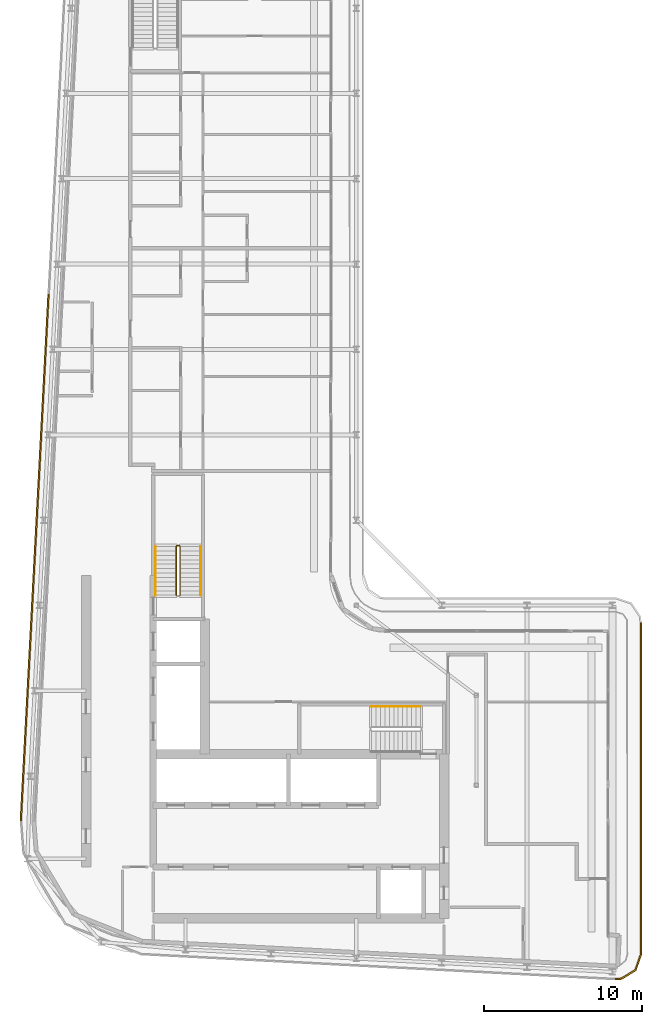
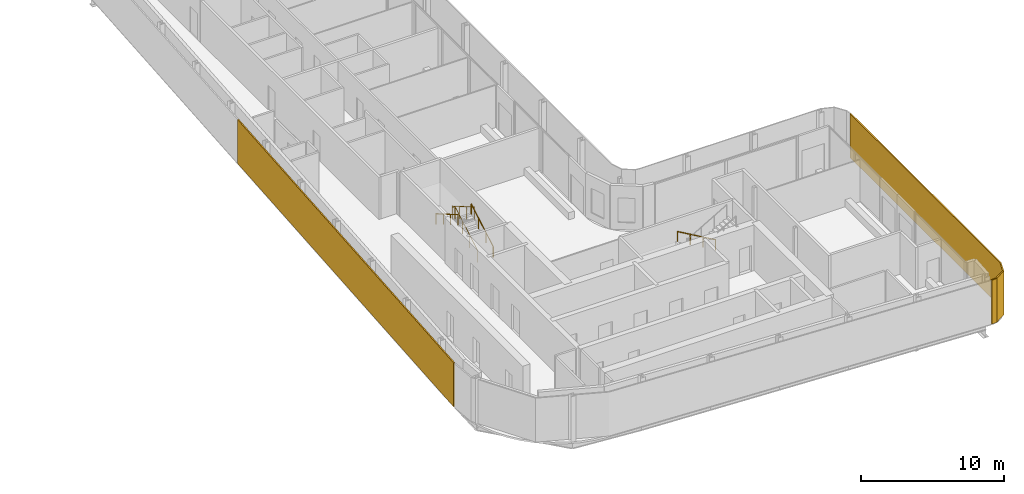
# One storey, part 18 of 21: 4 railings, 2 shading devices.
"""IFC4 building model written with IfcOpenShell, lengths in metres."""

from ifc_helpers import new_model, si_unit, direction, frame, origin, origin_2d, place, context, subcontext, project, spatial, polyline, rectangle, circle, outline, extrude, material, layer, layer_set, type_object, element, save


model = new_model("IFC4")

# Units and contexts
model_context = context("Model", 3, precision=1e-05, world=origin(), true_north=direction((0.0, 1.0)))
body_context = subcontext(model_context, "Body", "Model", "MODEL_VIEW")
ifc_project = project(units=[si_unit("LENGTHUNIT", "METRE"), si_unit("AREAUNIT", "SQUARE_METRE"), si_unit("VOLUMEUNIT", "CUBIC_METRE"), si_unit("PLANEANGLEUNIT", "RADIAN"), si_unit("MASSUNIT", "GRAM", prefix="KILO")], contexts=[model_context])

# Site, building, storey
site_placement = place(None, origin())
site = spatial("IfcSite", under=ifc_project, at=site_placement, CompositionType="ELEMENT")
building_placement = place(site_placement, origin())
building = spatial("IfcBuilding", under=site, at=building_placement, Name="Kheshtan School and Residences Tower", CompositionType="ELEMENT")
storey_placement = place(building_placement, frame((0.0, 0.0, 282.5)))
storey = spatial("IfcBuildingStorey", under=building, at=storey_placement, Name="L66", CompositionType="ELEMENT", Elevation=282.5)

# Shading devices
ifc_material_1 = material(Name="Terracotta baguette, extruded ceramic", Category="masonry")
ifc_layer_1 = layer(ifc_material_1, 0.10009765625)
ifc_layer_set_1 = layer_set([ifc_layer_1], Name="Ledge screen, terracotta baguettes")
shading_device_type_1 = type_object("IfcShadingDeviceType", Name="Ledge screen, terracotta baguettes", PredefinedType="USERDEFINED", material=ifc_layer_set_1)
shading_device_1_placement = place(storey_placement, frame((27.24609375, 48.638916015625, 0.0), z_axis=(0.0, 0.0, 1.0), x_axis=(0.052562536748, 0.998617634398, 0.0)))
element("IfcShadingDevice", 1, at=shading_device_1_placement, inside=storey, type_object=shading_device_type_1, Name="Screen L66 4", ObjectType="BAGUETTE", PredefinedType="USERDEFINED", context=body_context, shape_type="SweptSolid", body=[
    extrude(rectangle(XDim=33.341064453125, YDim=0.10009765625, at=origin_2d()), origin(), (0.0, 0.0, 1.0), 3.75),
])
ifc_material_2 = material(Name="Terracotta lattice, extruded ceramic", Category="masonry")
ifc_layer_2 = layer(ifc_material_2, 0.10009765625)
ifc_layer_set_2 = layer_set([ifc_layer_2], Name="Loggia screen, terracotta lattice")
shading_device_type_2 = type_object("IfcShadingDeviceType", Name="Loggia screen, terracotta lattice", PredefinedType="USERDEFINED", material=ifc_layer_set_2)
shading_device_2_placement = place(storey_placement, origin())
element("IfcShadingDevice", 2, at=shading_device_2_placement, inside=storey, type_object=shading_device_type_2, Name="Screen L66 2", ObjectType="SCREEN", PredefinedType="USERDEFINED", context=body_context, shape_type="SweptSolid", body=[
    extrude(outline(polyline([(65.550048828125, 44.5), (65.550048828125, 23.4990234375), (65.219970703125, 22.56005859375), (64.3740234375, 22.034912109375), (63.970947265625, 22.001953125), (63.97900390625, 21.902099609375), (64.406005859375, 21.93701171875), (65.302978515625, 22.493896484375), (65.64990234375, 23.48193359375), (65.64990234375, 44.5), (65.550048828125, 44.5)])), origin(), (0.0, 0.0, 1.0), 3.75),
])

# Railings
ifc_material_3 = material(Name="Stainless steel balustrade", Category="steel")
railing_type_1 = type_object("IfcRailingType", Name="Stair guard 1100", PredefinedType="GUARDRAIL", material=ifc_material_3)
railing_1_placement = place(storey_placement, frame((36.449951171875, 46.25, 0.16259765625)))
element("IfcRailing", 3, at=railing_1_placement, inside=storey, type_object=railing_type_1, Name="L66 ST2 stair guard 1", PredefinedType="GUARDRAIL", context=body_context, shape_type="SweptSolid", body=[
    extrude(circle(Radius=0.02392578125, at=origin_2d()), frame((0.0, 0.0, 1.076171875), z_axis=(0.0, 0.864920483161, 0.501908913857), x_axis=(-1.0, 0.0, 0.0)), (0.0, 0.0, 1.0), 3.56103515625),
    extrude(circle(Radius=0.02392578125, at=origin_2d()), frame((0.0, 3.080078125, 2.86328125), z_axis=(-0.708833529934, 0.705375805398, 0.0), x_axis=(-0.705375805398, -0.708833529934, 0.0)), (0.0, 0.0, 1.0), 0.070556640625),
    extrude(circle(Radius=0.02392578125, at=origin_2d()), frame((-0.050048828125, 3.1298828125, 2.86328125), z_axis=(-1.0, 0.0, 0.0), x_axis=(0.0, -1.0, 0.0)), (0.0, 0.0, 1.0), 0.14990234375),
    extrude(circle(Radius=0.02392578125, at=origin_2d()), frame((-0.199951171875, 3.1298828125, 2.86328125), z_axis=(-0.282336740067, -0.280959487676, 0.917250092119), x_axis=(0.705375805398, -0.708833529934, 0.0)), (0.0, 0.0, 1.0), 0.17724609375),
    extrude(circle(Radius=0.02392578125, at=origin_2d()), frame((-0.25, 3.080078125, 3.02587890625), z_axis=(0.0, -0.864920483161, 0.501908913857), x_axis=(1.0, 0.0, 0.0)), (0.0, 0.0, 1.0), 3.56103515625),
    extrude(circle(Radius=0.02099609375, at=origin_2d()), origin(), (0.0, 0.0, 1.0), 1.052001953125),
    extrude(circle(Radius=0.02099609375, at=origin_2d()), frame((0.0, 1.026611328125, 0.595703125)), (0.0, 0.0, 1.0), 1.052001953125),
    extrude(circle(Radius=0.02099609375, at=origin_2d()), frame((0.0, 2.053466796875, 1.191650390625)), (0.0, 0.0, 1.0), 1.052001953125),
    extrude(circle(Radius=0.02099609375, at=origin_2d()), frame((0.0, 3.080078125, 1.787353515625)), (0.0, 0.0, 1.0), 1.052001953125),
    extrude(circle(Radius=0.02099609375, at=origin_2d()), frame((-0.050048828125, 3.1298828125, 1.787353515625)), (0.0, 0.0, 1.0), 1.052001953125),
    extrude(circle(Radius=0.02099609375, at=origin_2d()), frame((-0.199951171875, 3.1298828125, 1.787353515625)), (0.0, 0.0, 1.0), 1.052001953125),
    extrude(circle(Radius=0.02099609375, at=origin_2d()), frame((-0.25, 3.080078125, 1.949951171875)), (0.0, 0.0, 1.0), 1.052001953125),
    extrude(circle(Radius=0.02099609375, at=origin_2d()), frame((-0.25, 2.053466796875, 2.545654296875)), (0.0, 0.0, 1.0), 1.052001953125),
    extrude(circle(Radius=0.02099609375, at=origin_2d()), frame((-0.25, 1.026611328125, 3.1416015625)), (0.0, 0.0, 1.0), 1.052001953125),
    extrude(circle(Radius=0.02099609375, at=origin_2d()), frame((-0.25, 0.0, 3.7373046875)), (0.0, 0.0, 1.0), 1.052001953125),
])
ifc_material_4 = material(Name="Stainless steel handrail", Category="steel")
railing_type_2 = type_object("IfcRailingType", Name="Stair handrail 900", PredefinedType="HANDRAIL", material=ifc_material_4)
railing_2_placement = place(storey_placement, frame((51.64990234375, 39.199951171875, 0.16259765625)))
element("IfcRailing", 4, at=railing_2_placement, inside=storey, type_object=railing_type_2, Name="L66 ST1 stair handrail 1", PredefinedType="HANDRAIL", context=body_context, shape_type="SweptSolid", body=[
    extrude(circle(Radius=0.02392578125, at=origin_2d()), frame((0.0, 0.0, 0.8759765625), z_axis=(-0.864903211148, 0.0, 0.501938676878), x_axis=(0.0, -1.0, 0.0)), (0.0, 0.0, 1.0), 3.560791015625),
    extrude(circle(Radius=0.02099609375, at=origin_2d()), origin(), (0.0, 0.0, 1.0), 0.851806640625),
    extrude(circle(Radius=0.02099609375, at=origin_2d()), frame((-1.026611328125, 0.0, 0.595703125)), (0.0, 0.0, 1.0), 0.851806640625),
    extrude(circle(Radius=0.02099609375, at=origin_2d()), frame((-2.05322265625, 0.0, 1.191650390625)), (0.0, 0.0, 1.0), 0.851806640625),
    extrude(circle(Radius=0.02099609375, at=origin_2d()), frame((-3.079833984375, 0.0, 1.787353515625)), (0.0, 0.0, 1.0), 0.851806640625),
])
railing_3_placement = place(storey_placement, frame((37.75, 46.25, 0.16259765625)))
element("IfcRailing", 5, at=railing_3_placement, inside=storey, type_object=railing_type_2, Name="L66 ST2 stair handrail 1", PredefinedType="HANDRAIL", context=body_context, shape_type="SweptSolid", body=[
    extrude(circle(Radius=0.02392578125, at=origin_2d()), frame((0.0, 0.0, 0.8759765625), z_axis=(0.0, 0.864920483161, 0.501908913857), x_axis=(-1.0, 0.0, 0.0)), (0.0, 0.0, 1.0), 3.56103515625),
    extrude(circle(Radius=0.02099609375, at=origin_2d()), origin(), (0.0, 0.0, 1.0), 0.851806640625),
    extrude(circle(Radius=0.02099609375, at=origin_2d()), frame((0.0, 1.026611328125, 0.595703125)), (0.0, 0.0, 1.0), 0.851806640625),
    extrude(circle(Radius=0.02099609375, at=origin_2d()), frame((0.0, 2.053466796875, 1.191650390625)), (0.0, 0.0, 1.0), 0.851806640625),
    extrude(circle(Radius=0.02099609375, at=origin_2d()), frame((0.0, 3.080078125, 1.787353515625)), (0.0, 0.0, 1.0), 0.851806640625),
])
railing_4_placement = place(storey_placement, frame((34.89990234375, 49.330078125, 2.112548828125)))
element("IfcRailing", 6, at=railing_4_placement, inside=storey, type_object=railing_type_2, Name="L66 ST2 stair handrail 2", PredefinedType="HANDRAIL", context=body_context, shape_type="SweptSolid", body=[
    extrude(circle(Radius=0.02392578125, at=origin_2d()), frame((0.0, 0.0, 0.8759765625), z_axis=(0.0, -0.864920483161, 0.501908913857), x_axis=(1.0, 0.0, 0.0)), (0.0, 0.0, 1.0), 3.56103515625),
    extrude(circle(Radius=0.02099609375, at=origin_2d()), origin(), (0.0, 0.0, 1.0), 0.851806640625),
    extrude(circle(Radius=0.02099609375, at=origin_2d()), frame((0.0, -1.026611328125, 0.595703125)), (0.0, 0.0, 1.0), 0.851806640625),
    extrude(circle(Radius=0.02099609375, at=origin_2d()), frame((0.0, -2.053466796875, 1.191650390625)), (0.0, 0.0, 1.0), 0.851806640625),
    extrude(circle(Radius=0.02099609375, at=origin_2d()), frame((0.0, -3.080078125, 1.787353515625)), (0.0, 0.0, 1.0), 0.851806640625),
])

save(model, "model.ifc")
